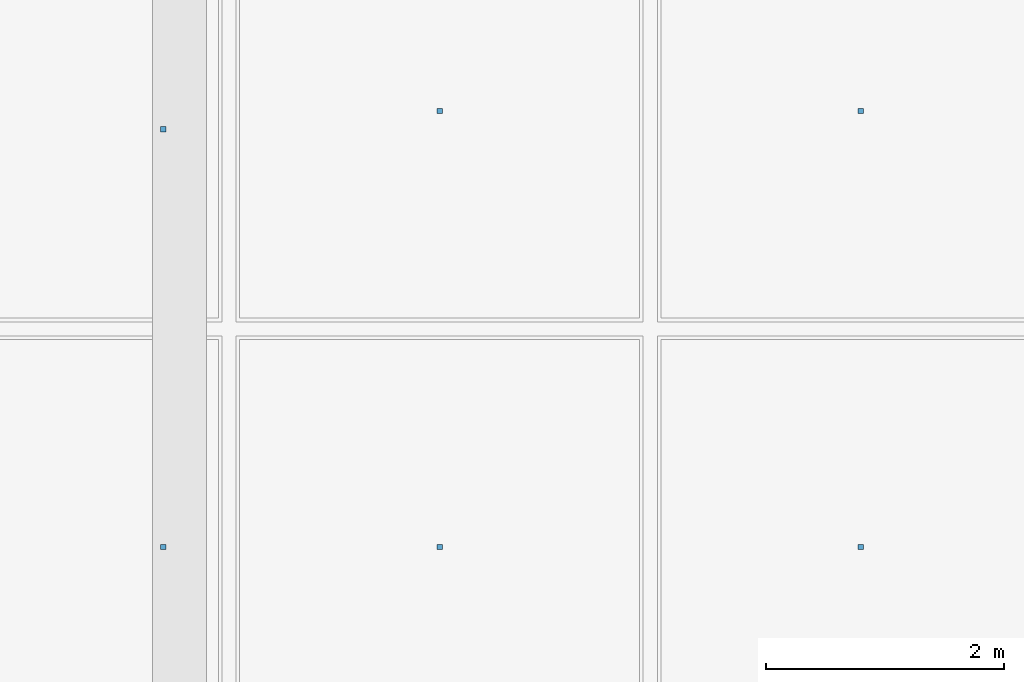
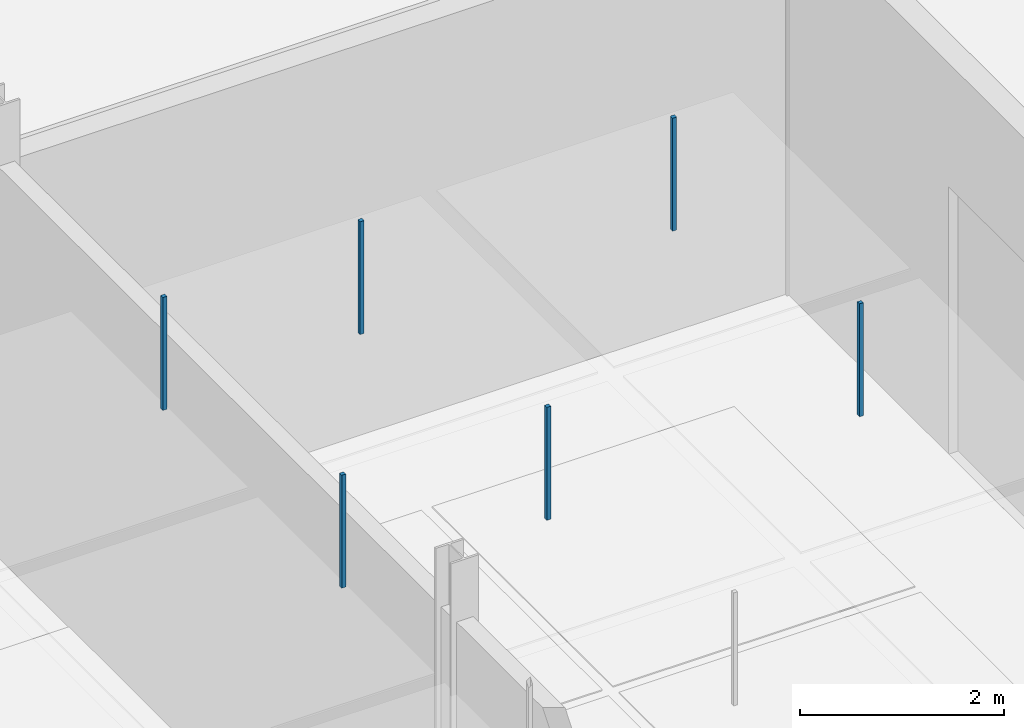
# One storey, part 153 of 180: 6 discrete accessories.
"""IFC4 building model written with IfcOpenShell, lengths in metres."""

from ifc_helpers import new_model, si_unit, direction, frame, origin, origin_2d, place, context, subcontext, project, spatial, rectangle, extrude, material, type_object, element, save


model = new_model("IFC4")

# Units and contexts
model_context = context("Model", 3, precision=1e-05, world=origin(), true_north=direction((0.0, 1.0)))
body_context = subcontext(model_context, "Body", "Model", "MODEL_VIEW")
ifc_project = project(units=[si_unit("LENGTHUNIT", "METRE"), si_unit("AREAUNIT", "SQUARE_METRE"), si_unit("VOLUMEUNIT", "CUBIC_METRE"), si_unit("PLANEANGLEUNIT", "RADIAN"), si_unit("MASSUNIT", "GRAM", prefix="KILO"), si_unit("THERMODYNAMICTEMPERATUREUNIT", "KELVIN"), si_unit("POWERUNIT", "WATT")], contexts=[model_context])

# Site, building, storey
site_placement = place(None, origin())
site = spatial("IfcSite", under=ifc_project, at=site_placement, CompositionType="ELEMENT")
building_placement = place(site_placement, origin())
building = spatial("IfcBuilding", under=site, at=building_placement, Name="Tallowbark Science Centre", CompositionType="ELEMENT")
storey_placement = place(building_placement, origin())
storey = spatial("IfcBuildingStorey", under=building, at=storey_placement, Name="L00", CompositionType="ELEMENT", Elevation=0.0)

# Discrete accessories
ifc_material = material(Name="Galvanised Steel Grade C350L0 (350 MPa)", Category="steel")
discrete_accessory_type = type_object("IfcDiscreteAccessoryType", Name="ACC-CLG-HNG", PredefinedType="BRACKET", material=ifc_material)
for number, where, z_axis, x_axis, name in (
    (1, (148.36328125, 29.0, 3.8095703125), (0.0, 0.0, 1.0), (1.0, 0.0, 0.0), "Ceiling Hanger Bracket L00-277"),
    (2, (148.36328125, 32.51171875, 3.8095703125), (0.0, 0.0, 1.0), (1.0, 0.0, 0.0), "Ceiling Hanger Bracket L00-278"),
    (3, (150.6875, 29.0, 3.8095703125), (0.0, 0.0, 1.0), (1.0, 0.0, 0.0), "Ceiling Hanger Bracket L00-286"),
    (4, (150.6875, 32.666748046875, 3.8095703125), (0.0, 0.0, 1.0), (1.0, 0.0, 0.0), "Ceiling Hanger Bracket L00-287"),
    (5, (154.229248046875, 29.0, 3.8095703125), (0.0, 0.0, 1.0), (1.0, 0.0, 0.0), "Ceiling Hanger Bracket L00-295"),
    (6, (154.229248046875, 32.666748046875, 3.8095703125), (0.0, 0.0, 1.0), (1.0, 0.0, 0.0), "Ceiling Hanger Bracket L00-296"),
):
    element("IfcDiscreteAccessory", number, at=place(storey_placement, frame(where, z_axis=z_axis, x_axis=x_axis)), inside=storey, type_object=discrete_accessory_type, Name=name, PredefinedType="BRACKET", context=body_context, shape_type="SweptSolid", body=[
        extrude(rectangle(XDim=0.044921875, YDim=0.044921875, at=origin_2d()), origin(), (0.0, 0.0, 1.0), 1.353515625),
    ])

save(model, "model.ifc")
